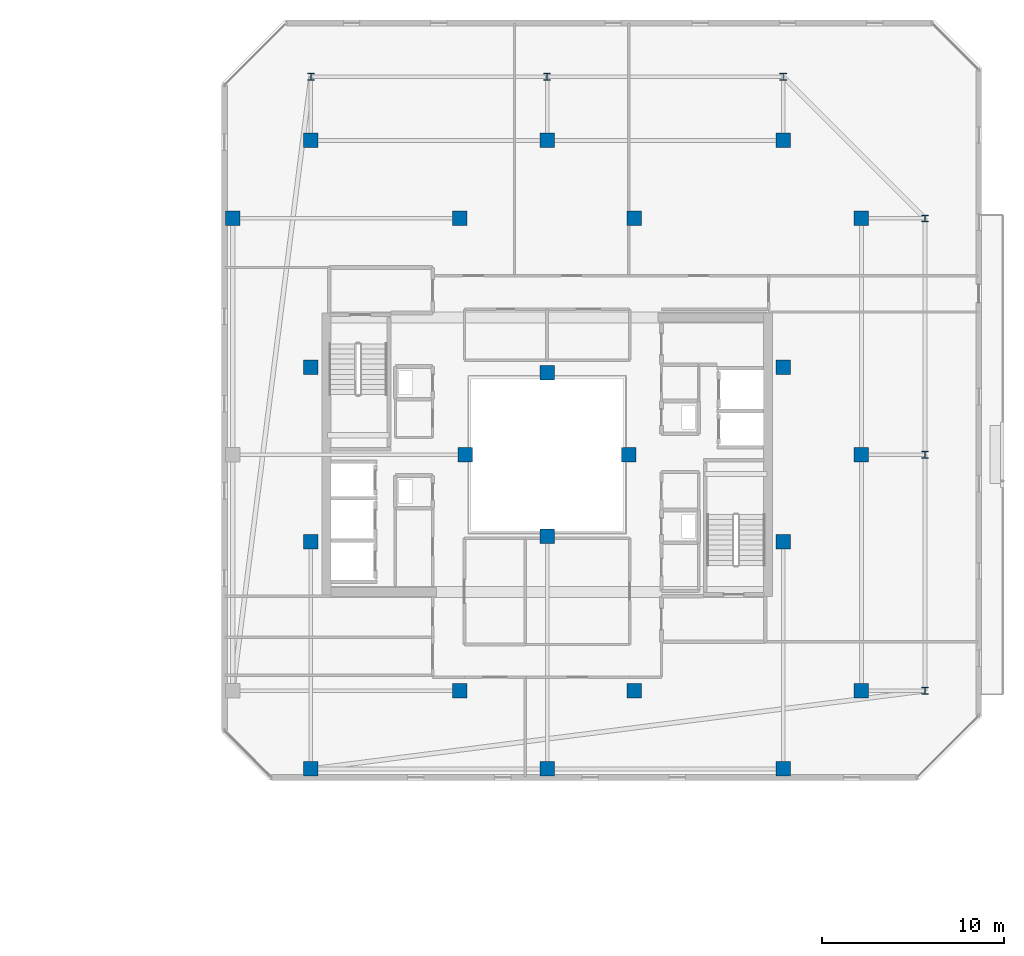
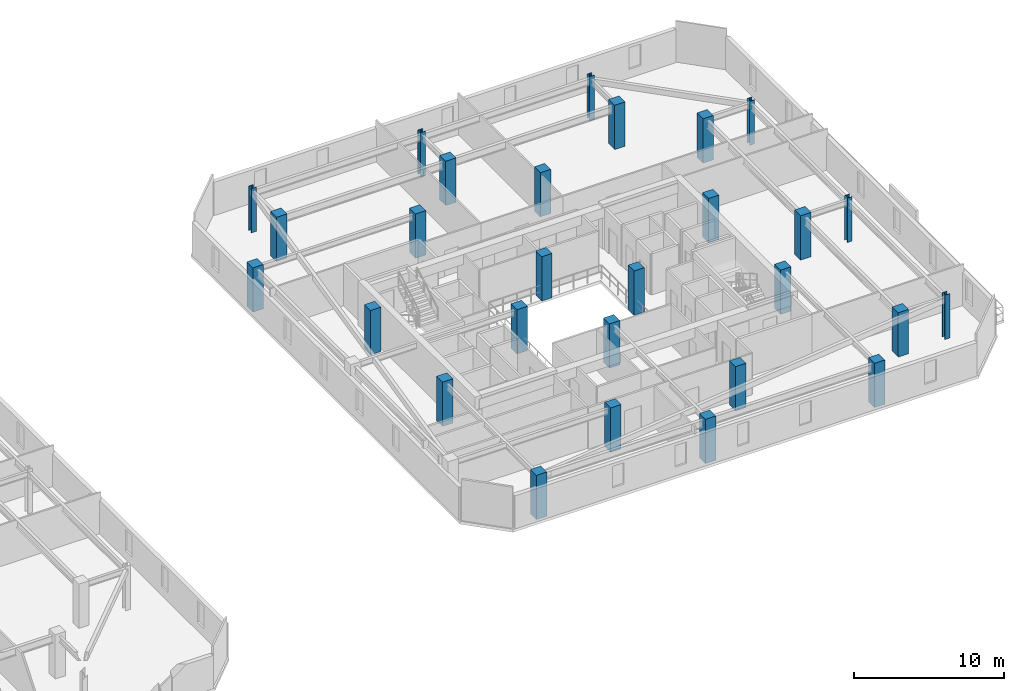
# One storey, part 4 of 35: 28 columns.
"""IFC4 building model written with IfcOpenShell, lengths in metres."""

import ifcopenshell
import ifcopenshell.guid

model = None  # the IFC model being written
_history = None  # IfcOwnerHistory: only IFC2X3 demands one
_inside = {}  # id of a spatial element -> (the spatial element, [elements in it])
_under = {}  # id of a project, library or spatial element -> (it, [spatial elements below it])
_declared = {}  # id of a project -> (the project, [libraries it declares])
_typed = {}  # id of a type object -> (the type object, [elements of that type])
_made_of = {}  # id of a material, layer set ... -> (it, [elements and type objects made of it])


def new_model(schema):
    """Start an empty IFC model of exactly this schema.

    Asked for "IFC4X3", IfcOpenShell would pick the latest addendum, in which some entities
    have other attributes; the version numbers below select the first issue.
    IFC2X3 requires an IfcOwnerHistory on every rooted entity: one is made here for all.
    """
    global model, _history
    if schema == "IFC4X3":
        model = ifcopenshell.file(schema_version=(4, 3, 0, 0))
    else:
        model = ifcopenshell.file(schema=schema)
    _inside.clear()
    _under.clear()
    _declared.clear()
    _typed.clear()
    _made_of.clear()
    _history = None
    if model.schema == "IFC2X3":
        org = make("IfcOrganization", Name="unknown")
        user = make(
            "IfcPersonAndOrganization",
            ThePerson=make("IfcPerson", FamilyName="unknown"),
            TheOrganization=org,
        )
        app = make(
            "IfcApplication",
            ApplicationDeveloper=org,
            Version="unknown",
            ApplicationFullName="unknown",
            ApplicationIdentifier="unknown",
        )
        _history = make(
            "IfcOwnerHistory",
            OwningUser=user,
            OwningApplication=app,
            ChangeAction="ADDED",
            CreationDate=0,
        )
    return model


def make(cls, **values):
    """One entity of the class cls with the attributes given. An attribute that is None is left unset."""
    return model.create_entity(
        cls, **{name: value for name, value in values.items() if value is not None}
    )


def rooted(cls, **values):
    """An entity with a GlobalId (a new one), such as an element, a storey or a relation."""
    return make(cls, GlobalId=ifcopenshell.guid.new(), OwnerHistory=_history, **values)


def si_unit(unit_type, name, prefix=None):
    """IfcSIUnit, for example si_unit("LENGTHUNIT", "METRE", prefix="MILLI")."""
    return make("IfcSIUnit", UnitType=unit_type, Prefix=prefix, Name=name)


def assignment(units):
    """IfcUnitAssignment: the units of a project."""
    return None if units is None else make("IfcUnitAssignment", Units=units)


def point(xyz):
    """IfcCartesianPoint."""
    return None if xyz is None else make("IfcCartesianPoint", Coordinates=xyz)


def direction(xyz):
    """IfcDirection."""
    return None if xyz is None else make("IfcDirection", DirectionRatios=xyz)


def frame(location, z_axis=None, x_axis=None):
    """IfcAxis2Placement3D, a coordinate frame: its origin and axes. An axis left out is left unset."""
    return make(
        "IfcAxis2Placement3D",
        Location=point(location),
        Axis=direction(z_axis),
        RefDirection=direction(x_axis),
    )


def frame_2d(location, x_axis=None):
    """IfcAxis2Placement2D, a coordinate frame in the plane: its origin and x axis."""
    return make(
        "IfcAxis2Placement2D", Location=point(location), RefDirection=direction(x_axis)
    )


def origin():
    """The frame at (0, 0, 0) with its axes left unset."""
    return frame((0.0, 0.0, 0.0))


def origin_2d():
    """The frame at (0, 0) in the plane with its x axis left unset."""
    return frame_2d((0.0, 0.0))


def place(relative_to, where):
    """IfcLocalPlacement: puts the frame where relative to a parent placement (None: the world)."""
    return make(
        "IfcLocalPlacement", PlacementRelTo=relative_to, RelativePlacement=where
    )


def context(
    kind, dimensions, precision=None, world=None, true_north=None, identifier=None
):
    """IfcGeometricRepresentationContext, for example the 3D "Model" context."""
    return make(
        "IfcGeometricRepresentationContext",
        ContextIdentifier=identifier,
        ContextType=kind,
        CoordinateSpaceDimension=dimensions,
        Precision=precision,
        WorldCoordinateSystem=world,
        TrueNorth=true_north,
    )


def subcontext(parent, identifier, kind, view, scale=None):
    """IfcGeometricRepresentationSubContext, for example "Body" below "Model"."""
    return make(
        "IfcGeometricRepresentationSubContext",
        ContextIdentifier=identifier,
        ContextType=kind,
        ParentContext=parent,
        TargetScale=scale,
        TargetView=view,
    )


def project(units=None, contexts=None):
    """IfcProject with its units and contexts."""
    return rooted(
        "IfcProject",
        Name="project",
        RepresentationContexts=contexts,
        UnitsInContext=assignment(units),
    )


def spatial(cls, under=None, at=None, **own):
    """A site, building, storey or space (cls), placed at a placement, below another one or the project."""
    s = rooted(cls, ObjectPlacement=at, **own)
    if under is not None:
        _under.setdefault(under.id(), (under, []))[1].append(s)
    return s


def profile(cls, at=None, kind="AREA", **sizes):
    """A parametric profile (cls). Its sizes go by their IFC names, for example OverallWidth=200.0."""
    return make(cls, ProfileType=kind, Position=at, **sizes)


def rectangle(**sizes):
    """IfcRectangleProfileDef."""
    return profile("IfcRectangleProfileDef", **sizes)


def i_section(**sizes):
    """IfcIShapeProfileDef."""
    return profile("IfcIShapeProfileDef", **sizes)


def extrude(swept, where, along, depth):
    """IfcExtrudedAreaSolid: the profile swept, set in the frame where, extruded along a direction by depth."""
    return make(
        "IfcExtrudedAreaSolid",
        SweptArea=swept,
        Position=where,
        ExtrudedDirection=direction(along),
        Depth=depth,
    )


def shape(context_of_items, identifier, shape_type, items):
    """IfcShapeRepresentation: the items that make up one representation, for example the "Body"."""
    return make(
        "IfcShapeRepresentation",
        ContextOfItems=context_of_items,
        RepresentationIdentifier=identifier,
        RepresentationType=shape_type,
        Items=items,
    )


def material(Name=None, Category=None):
    """IfcMaterial."""
    return make("IfcMaterial", Name=Name, Category=Category)


def material_profile(
    of_material, cross_section, Name=None, Category=None, Priority=None
):
    """IfcMaterialProfile: a cross section and its material."""
    return make(
        "IfcMaterialProfile",
        Name=Name,
        Material=of_material,
        Profile=cross_section,
        Priority=Priority,
        Category=Category,
    )


def profile_set(profiles, Name=None, composite=None):
    """IfcMaterialProfileSet."""
    return make(
        "IfcMaterialProfileSet",
        Name=Name,
        MaterialProfiles=profiles,
        CompositeProfile=composite,
    )


def made_of(thing, what):
    """Note that an element or type object is made of a material, layer set ...; save() writes the relation."""
    if what is not None:
        _made_of.setdefault(what.id(), (what, []))[1].append(thing)
    return thing


def type_object(cls, material=None, **own):
    """A type object (cls), such as IfcWallType, which elements share."""
    return made_of(rooted(cls, **own), material)


def element(
    cls,
    number,
    at=None,
    inside=None,
    cuts=None,
    type_object=None,
    material=None,
    context=None,
    identifier="Body",
    shape_type=None,
    held_by="IfcProductDefinitionShape",
    body=None,
    shapes=None,
    **own,
):
    """One element of the class cls, such as IfcWall. Its Tag is "e" and its number.

    at: its placement. inside: the storey or other place that contains it. cuts: it is an
    opening in that element (IfcRelVoidsElement). A single representation is given by context,
    identifier, shape_type and body (its items); several are given by shapes. held_by: the class
    of the entity that holds the representations. save() writes the other relations.
    """
    e = rooted(cls, Tag="e%d" % number, ObjectPlacement=at, **own)
    if body is not None:
        shapes = [shape(context, identifier, shape_type, body)]
    if shapes is not None:
        e.Representation = make(held_by, Representations=shapes)
    if inside is not None:
        _inside.setdefault(inside.id(), (inside, []))[1].append(e)
    if cuts is not None:
        rooted(
            "IfcRelVoidsElement", RelatingBuildingElement=cuts, RelatedOpeningElement=e
        )
    if type_object is not None:
        _typed.setdefault(type_object.id(), (type_object, []))[1].append(e)
    return made_of(e, material)


def aggregate(whole, parts):
    """IfcRelAggregates: a whole, such as a stair, and the parts it consists of."""
    return rooted("IfcRelAggregates", RelatingObject=whole, RelatedObjects=parts)


def save(model, path):
    """Write the relations noted so far, then the file.

    IfcRelAggregates (storeys below a building ...), IfcRelContainedInSpatialStructure (elements
    in a storey), IfcRelDefinesByType, IfcRelAssociatesMaterial and IfcRelDeclares: one each for
    every whole, place, type object, material and project.
    """
    for whole, parts in _under.values():
        aggregate(whole, parts)
    for where, things in _inside.values():
        rooted(
            "IfcRelContainedInSpatialStructure",
            RelatedElements=things,
            RelatingStructure=where,
        )
    for kind, things in _typed.values():
        rooted("IfcRelDefinesByType", RelatedObjects=things, RelatingType=kind)
    for what, things in _made_of.values():
        rooted("IfcRelAssociatesMaterial", RelatedObjects=things, RelatingMaterial=what)
    for by, libraries in _declared.values():
        rooted("IfcRelDeclares", RelatingContext=by, RelatedDefinitions=libraries)
    model.write(path)


model = new_model("IFC4")

# Units and contexts
model_context = context("Model", 3, precision=1e-05, world=origin(), true_north=direction((0.0, 1.0)))
body_context = subcontext(model_context, "Body", "Model", "MODEL_VIEW")
ifc_project = project(units=[si_unit("LENGTHUNIT", "METRE"), si_unit("AREAUNIT", "SQUARE_METRE"), si_unit("VOLUMEUNIT", "CUBIC_METRE"), si_unit("PLANEANGLEUNIT", "RADIAN"), si_unit("MASSUNIT", "GRAM", prefix="KILO")], contexts=[model_context])

# Site, building, storey
site_placement = place(None, origin())
site = spatial("IfcSite", under=ifc_project, at=site_placement, CompositionType="ELEMENT")
building_placement = place(site_placement, origin())
building = spatial("IfcBuilding", under=site, at=building_placement, Name="Thornwick Lancets Civic Towers", CompositionType="ELEMENT")
storey_placement = place(building_placement, frame((0.0, 0.0, 265.5)))
storey = spatial("IfcBuildingStorey", under=building, at=storey_placement, Name="L71", CompositionType="ELEMENT", Elevation=265.5)

# Columns
ifc_material_1 = material(Name="Concrete C50/60", Category="concrete")
ifc_material_profile_1 = material_profile(ifc_material_1, rectangle(XDim=0.800048828125, YDim=0.800048828125, at=origin_2d()), Name="RC 800x800")
ifc_profile_set_1 = profile_set([ifc_material_profile_1], Name="Concrete C50/60")
column_type_1 = type_object("IfcColumnType", Name="COL_RC_800", PredefinedType="COLUMN", material=ifc_profile_set_1)
for number, where, z_axis, x_axis, name in (
    (1, (105.800048828125, 14.0, 0.0), (0.0, 0.0, 1.0), (1.0, 0.0, 0.0), "L71 Spine Mega-Column B01"),
    (2, (105.800048828125, 27.0, 0.0), (0.0, 0.0, 1.0), (1.0, 0.0, 0.0), "L71 Spine Mega-Column B02"),
    (3, (105.800048828125, 40.0, 0.0), (0.0, 0.0, 1.0), (1.0, 0.0, 0.0), "L71 Spine Mega-Column B03"),
    (4, (101.5, 44.300048828125, 0.0), (0.0, 0.0, 1.0), (1.0, 0.0, 0.0), "L71 Spine Mega-Column B04"),
    (5, (88.5, 44.300048828125, 0.0), (0.0, 0.0, 1.0), (1.0, 0.0, 0.0), "L71 Spine Mega-Column B05"),
    (6, (75.5, 44.300048828125, 0.0), (0.0, 0.0, 1.0), (1.0, 0.0, 0.0), "L71 Spine Mega-Column B06"),
    (7, (71.199951171875, 40.0, 0.0), (0.0, 0.0, 1.0), (1.0, 0.0, 0.0), "L71 Spine Mega-Column B09"),
    (8, (101.5, 9.699951171875, 0.0), (0.0, 0.0, 1.0), (1.0, 0.0, 0.0), "L71 Spine Mega-Column B10"),
    (9, (88.5, 9.699951171875, 0.0), (0.0, 0.0, 1.0), (1.0, 0.0, 0.0), "L71 Spine Mega-Column B11"),
    (10, (75.5, 9.699951171875, 0.0), (0.0, 0.0, 1.0), (1.0, 0.0, 0.0), "L71 Spine Mega-Column B12"),
    (11, (93.300048828125, 14.0, 0.0), (0.0, 0.0, 1.0), (1.0, 0.0, 0.0), "L71 Spine Mega-Column B13"),
    (12, (93.300048828125, 40.0, 0.0), (0.0, 0.0, 1.0), (1.0, 0.0, 0.0), "L71 Spine Mega-Column B14"),
    (13, (83.699951171875, 14.0, 0.0), (0.0, 0.0, 1.0), (1.0, 0.0, 0.0), "L71 Spine Mega-Column B15"),
    (14, (83.699951171875, 40.0, 0.0), (0.0, 0.0, 1.0), (1.0, 0.0, 0.0), "L71 Spine Mega-Column B16"),
    (15, (101.5, 22.199951171875, 0.0), (0.0, 0.0, 1.0), (1.0, 0.0, 0.0), "L71 Spine Mega-Column B17"),
    (16, (101.5, 31.800048828125, 0.0), (0.0, 0.0, 1.0), (1.0, 0.0, 0.0), "L71 Spine Mega-Column B18"),
    (17, (75.5, 22.199951171875, 0.0), (0.0, 0.0, 1.0), (1.0, 0.0, 0.0), "L71 Spine Mega-Column B19"),
    (18, (75.5, 31.800048828125, 0.0), (0.0, 0.0, 1.0), (1.0, 0.0, 0.0), "L71 Spine Mega-Column B20"),
    (19, (93.0, 27.0, 0.0), (0.0, 0.0, 1.0), (1.0, 0.0, 0.0), "L71 Spine Mega-Column B21"),
    (20, (84.0, 27.0, 0.0), (0.0, 0.0, 1.0), (1.0, 0.0, 0.0), "L71 Spine Mega-Column B22"),
    (21, (88.5, 22.5, 0.0), (0.0, 0.0, 1.0), (1.0, 0.0, 0.0), "L71 Spine Mega-Column B23"),
    (22, (88.5, 31.5, 0.0), (0.0, 0.0, 1.0), (1.0, 0.0, 0.0), "L71 Spine Mega-Column B24"),
):
    element("IfcColumn", number, at=place(storey_placement, frame(where, z_axis=z_axis, x_axis=x_axis)), inside=storey, type_object=column_type_1, Name=name, PredefinedType="COLUMN", context=body_context, shape_type="SweptSolid", body=[
        extrude(rectangle(XDim=0.800048828125, YDim=0.800048828125, at=origin_2d()), origin(), (0.0, 0.0, 1.0), 3.60009765625),
    ])
ifc_material_2 = material(Name="Steel S355JR", Category="steel")
ifc_material_profile_2 = material_profile(ifc_material_2, i_section(OverallWidth=0.374755859375, OverallDepth=0.37451171875, WebThickness=0.0166015625, FlangeThickness=0.027099609375, FilletRadius=0.01513671875, at=origin_2d()), Name="UKC 356x368x202")
ifc_profile_set_2 = profile_set([ifc_material_profile_2], Name="Steel S355JR")
column_type_2 = type_object("IfcColumnType", Name="COL_UKC_202", PredefinedType="COLUMN", material=ifc_profile_set_2)
for number, where, z_axis, x_axis, name in (
    (23, (109.300048828125, 14.0, 0.0), (0.0, 0.0, 1.0), (1.0, 0.0, 0.0), "L71 Block Perimeter Column B01"),
    (24, (109.300048828125, 27.0, 0.0), (0.0, 0.0, 1.0), (1.0, 0.0, 0.0), "L71 Block Perimeter Column B02"),
    (25, (109.300048828125, 40.0, 0.0), (0.0, 0.0, 1.0), (1.0, 0.0, 0.0), "L71 Block Perimeter Column B03"),
    (26, (101.5, 47.800048828125, 0.0), (0.0, 0.0, 1.0), (1.0, 0.0, 0.0), "L71 Block Perimeter Column B04"),
    (27, (88.5, 47.800048828125, 0.0), (0.0, 0.0, 1.0), (1.0, 0.0, 0.0), "L71 Block Perimeter Column B05"),
    (28, (75.5, 47.800048828125, 0.0), (0.0, 0.0, 1.0), (1.0, 0.0, 0.0), "L71 Block Perimeter Column B06"),
):
    element("IfcColumn", number, at=place(storey_placement, frame(where, z_axis=z_axis, x_axis=x_axis)), inside=storey, type_object=column_type_2, Name=name, PredefinedType="COLUMN", context=body_context, shape_type="SweptSolid", body=[
        extrude(i_section(OverallWidth=0.374755859375, OverallDepth=0.37451171875, WebThickness=0.0166015625, FlangeThickness=0.027099609375, FilletRadius=0.01513671875, at=origin_2d()), origin(), (0.0, 0.0, 1.0), 3.60009765625),
    ])

save(model, "model.ifc")
